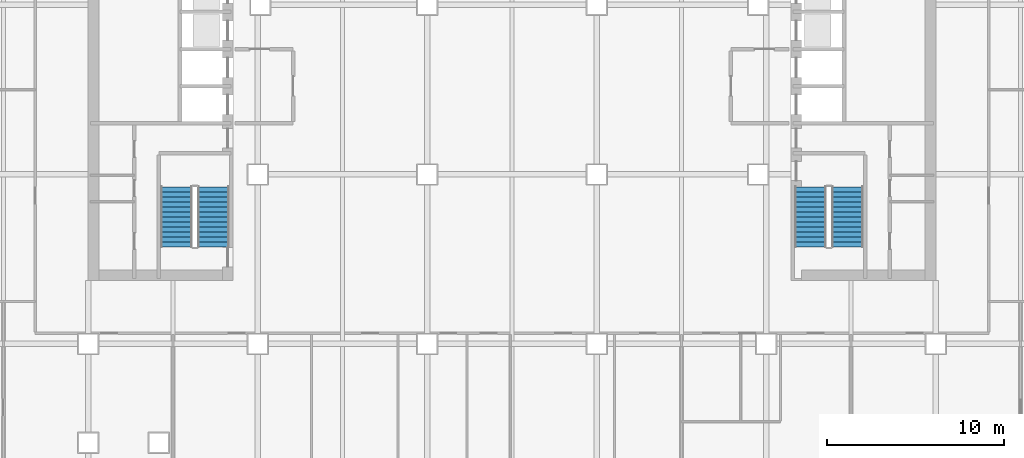
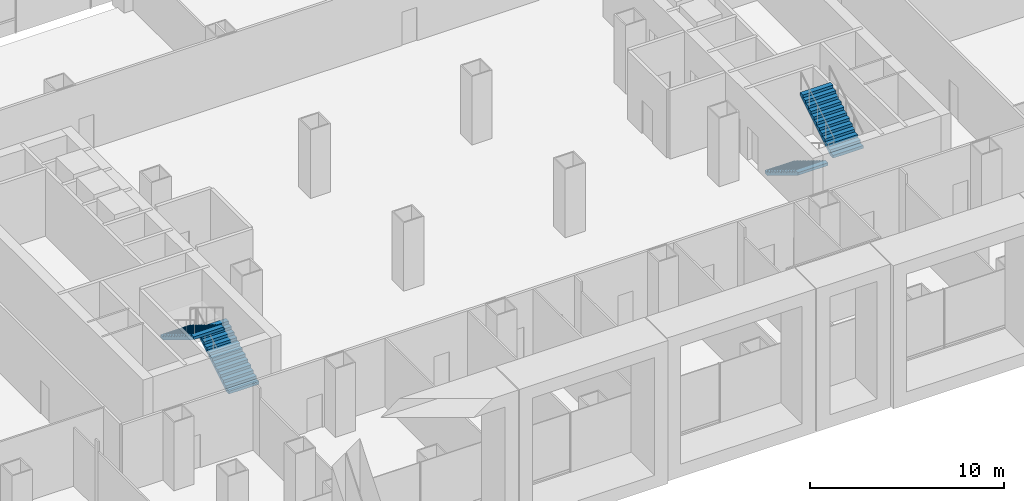
# One storey, part 19 of 23: 4 stair flights, 2 elements without a shape of their own.
"""IFC4 building model written with IfcOpenShell, lengths in metres."""

from ifc_helpers import new_model, si_unit, direction, frame, origin, place, context, subcontext, project, spatial, polyline, outline, extrude, material, type_object, element, aggregate, save


model = new_model("IFC4")

# Units and contexts
model_context = context("Model", 3, precision=1e-05, world=origin(), true_north=direction((0.0, 1.0)))
body_context = subcontext(model_context, "Body", "Model", "MODEL_VIEW")
ifc_project = project(units=[si_unit("LENGTHUNIT", "METRE"), si_unit("AREAUNIT", "SQUARE_METRE"), si_unit("VOLUMEUNIT", "CUBIC_METRE"), si_unit("PLANEANGLEUNIT", "RADIAN"), si_unit("MASSUNIT", "GRAM", prefix="KILO")], contexts=[model_context])

# Site, building, storey
site_placement = place(None, origin())
site = spatial("IfcSite", under=ifc_project, at=site_placement, CompositionType="ELEMENT")
building_placement = place(site_placement, origin())
building = spatial("IfcBuilding", under=site, at=building_placement, Name="Cobrizo Arcos Hotel Tower", CompositionType="ELEMENT")
storey_placement = place(building_placement, frame((0.0, 0.0, 24.5)))
storey = spatial("IfcBuildingStorey", under=building, at=storey_placement, Name="L04", CompositionType="ELEMENT", Elevation=24.5)

# Stair, stair flights
ifc_material = material(Name="Concrete f'c 40 MPa", Category="concrete")
stair_type = type_object("IfcStairType", Name="Exit stair", PredefinedType="HALF_TURN_STAIR", material=ifc_material)
stair_1_placement = place(storey_placement, origin())
stair_1 = element("IfcStair", 1, at=stair_1_placement, inside=storey, type_object=stair_type, Name="L04 Exit stair ST-W", PredefinedType="HALF_TURN_STAIR")
stair_flight_type = type_object("IfcStairFlightType", Name="Exit stair flight", PredefinedType="STRAIGHT", material=ifc_material)
stair_flight_1_placement = place(storey_placement, frame((-16.89990234375, -8.89990234375, 0.0), z_axis=(0.0, 0.0, 1.0), x_axis=(0.0, 1.0, 0.0)))
stair_flight_1 = element("IfcStairFlight", 2, at=stair_flight_1_placement, type_object=stair_flight_type, Name="ST-W flight 1", NumberOfRisers=13, NumberOfTreads=12, PredefinedType="STRAIGHT", RiserHeight=0.173076923, TreadLength=0.283333333, context=body_context, shape_type="SweptSolid", body=[
    extrude(outline(polyline([(0.0, 0.0), (0.0, 0.173095703125), (0.283447265625, 0.173095703125), (0.283447265625, 0.34619140625), (0.566650390625, 0.34619140625), (0.566650390625, 0.519287109375), (0.85009765625, 0.519287109375), (0.85009765625, 0.6923828125), (1.13330078125, 0.6923828125), (1.13330078125, 0.865478515625), (1.416748046875, 0.865478515625), (1.416748046875, 1.03857421875), (1.699951171875, 1.03857421875), (1.699951171875, 1.21142578125), (1.9833984375, 1.21142578125), (1.9833984375, 1.384521484375), (2.2666015625, 1.384521484375), (2.2666015625, 1.5576171875), (2.550048828125, 1.5576171875), (2.550048828125, 1.730712890625), (2.833251953125, 1.730712890625), (2.833251953125, 1.90380859375), (3.11669921875, 1.90380859375), (3.11669921875, 2.076904296875), (3.39990234375, 2.076904296875), (3.39990234375, 2.25), (3.39990234375, 1.9013671875), (0.28759765625, 0.0), (0.0, 0.0)])), frame((0.0, 0.89990234375, 0.0), z_axis=(0.0, -1.0, 0.0), x_axis=(1.0, 0.0, 0.0)), (0.0, 0.0, 1.0), 1.800048828125),
])
stair_flight_2_placement = place(storey_placement, frame((-19.0, -5.5, 2.25), z_axis=(0.0, 0.0, 1.0), x_axis=(0.0, -1.0, 0.0)))
stair_flight_2 = element("IfcStairFlight", 3, at=stair_flight_2_placement, type_object=stair_flight_type, Name="ST-W flight 2", NumberOfRisers=13, NumberOfTreads=12, PredefinedType="STRAIGHT", RiserHeight=0.173076923, TreadLength=0.283333333, context=body_context, shape_type="SweptSolid", body=[
    extrude(outline(polyline([(0.0, 0.0), (0.0, 0.173095703125), (0.283447265625, 0.173095703125), (0.283447265625, 0.34619140625), (0.566650390625, 0.34619140625), (0.566650390625, 0.519287109375), (0.85009765625, 0.519287109375), (0.85009765625, 0.6923828125), (1.13330078125, 0.6923828125), (1.13330078125, 0.865478515625), (1.416748046875, 0.865478515625), (1.416748046875, 1.03857421875), (1.699951171875, 1.03857421875), (1.699951171875, 1.21142578125), (1.9833984375, 1.21142578125), (1.9833984375, 1.384521484375), (2.2666015625, 1.384521484375), (2.2666015625, 1.5576171875), (2.550048828125, 1.5576171875), (2.550048828125, 1.730712890625), (2.833251953125, 1.730712890625), (2.833251953125, 1.90380859375), (3.11669921875, 1.90380859375), (3.11669921875, 2.076904296875), (3.39990234375, 2.076904296875), (3.39990234375, 2.25), (3.39990234375, 1.9013671875), (0.28759765625, 0.0), (0.0, 0.0)])), frame((0.0, 0.89990234375, 0.0), z_axis=(0.0, -1.0, 0.0), x_axis=(1.0, 0.0, 0.0)), (0.0, 0.0, 1.0), 1.800048828125),
])
aggregate(stair_1, [stair_flight_1, stair_flight_2])

stair_2_placement = place(storey_placement, origin())
stair_2 = element("IfcStair", 4, at=stair_2_placement, inside=storey, type_object=stair_type, Name="L04 Exit stair ST-E", PredefinedType="HALF_TURN_STAIR")
stair_flight_3_placement = place(storey_placement, frame((16.89990234375, -5.5, 0.0), z_axis=(0.0, 0.0, 1.0), x_axis=(0.0, -1.0, 0.0)))
stair_flight_3 = element("IfcStairFlight", 5, at=stair_flight_3_placement, type_object=stair_flight_type, Name="ST-E flight 1", NumberOfRisers=13, NumberOfTreads=12, PredefinedType="STRAIGHT", RiserHeight=0.173076923, TreadLength=0.283333333, context=body_context, shape_type="SweptSolid", body=[
    extrude(outline(polyline([(0.0, 0.0), (0.0, 0.173095703125), (0.283447265625, 0.173095703125), (0.283447265625, 0.34619140625), (0.566650390625, 0.34619140625), (0.566650390625, 0.519287109375), (0.85009765625, 0.519287109375), (0.85009765625, 0.6923828125), (1.13330078125, 0.6923828125), (1.13330078125, 0.865478515625), (1.416748046875, 0.865478515625), (1.416748046875, 1.03857421875), (1.699951171875, 1.03857421875), (1.699951171875, 1.21142578125), (1.9833984375, 1.21142578125), (1.9833984375, 1.384521484375), (2.2666015625, 1.384521484375), (2.2666015625, 1.5576171875), (2.550048828125, 1.5576171875), (2.550048828125, 1.730712890625), (2.833251953125, 1.730712890625), (2.833251953125, 1.90380859375), (3.11669921875, 1.90380859375), (3.11669921875, 2.076904296875), (3.39990234375, 2.076904296875), (3.39990234375, 2.25), (3.39990234375, 1.9013671875), (0.28759765625, 0.0), (0.0, 0.0)])), frame((0.0, 0.89990234375, 0.0), z_axis=(0.0, -1.0, 0.0), x_axis=(1.0, 0.0, 0.0)), (0.0, 0.0, 1.0), 1.800048828125),
])
stair_flight_4_placement = place(storey_placement, frame((19.0, -8.89990234375, 2.25), z_axis=(0.0, 0.0, 1.0), x_axis=(0.0, 1.0, 0.0)))
stair_flight_4 = element("IfcStairFlight", 6, at=stair_flight_4_placement, type_object=stair_flight_type, Name="ST-E flight 2", NumberOfRisers=13, NumberOfTreads=12, PredefinedType="STRAIGHT", RiserHeight=0.173076923, TreadLength=0.283333333, context=body_context, shape_type="SweptSolid", body=[
    extrude(outline(polyline([(0.0, 0.0), (0.0, 0.173095703125), (0.283447265625, 0.173095703125), (0.283447265625, 0.34619140625), (0.566650390625, 0.34619140625), (0.566650390625, 0.519287109375), (0.85009765625, 0.519287109375), (0.85009765625, 0.6923828125), (1.13330078125, 0.6923828125), (1.13330078125, 0.865478515625), (1.416748046875, 0.865478515625), (1.416748046875, 1.03857421875), (1.699951171875, 1.03857421875), (1.699951171875, 1.21142578125), (1.9833984375, 1.21142578125), (1.9833984375, 1.384521484375), (2.2666015625, 1.384521484375), (2.2666015625, 1.5576171875), (2.550048828125, 1.5576171875), (2.550048828125, 1.730712890625), (2.833251953125, 1.730712890625), (2.833251953125, 1.90380859375), (3.11669921875, 1.90380859375), (3.11669921875, 2.076904296875), (3.39990234375, 2.076904296875), (3.39990234375, 2.25), (3.39990234375, 1.9013671875), (0.28759765625, 0.0), (0.0, 0.0)])), frame((0.0, 0.89990234375, 0.0), z_axis=(0.0, -1.0, 0.0), x_axis=(1.0, 0.0, 0.0)), (0.0, 0.0, 1.0), 1.800048828125),
])
aggregate(stair_2, [stair_flight_3, stair_flight_4])

save(model, "model.ifc")
